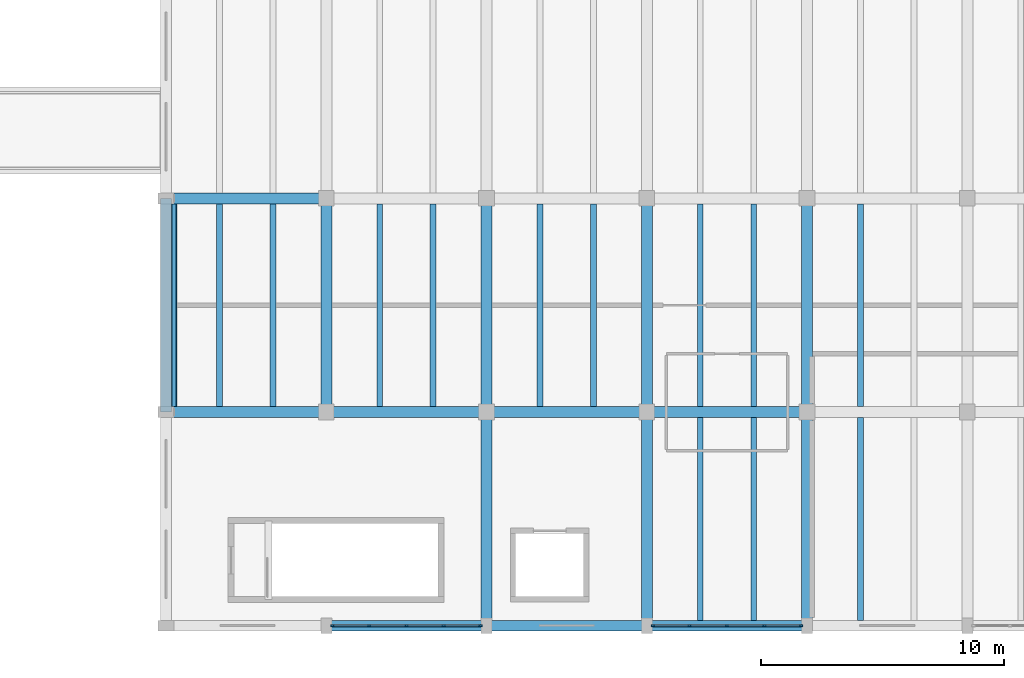
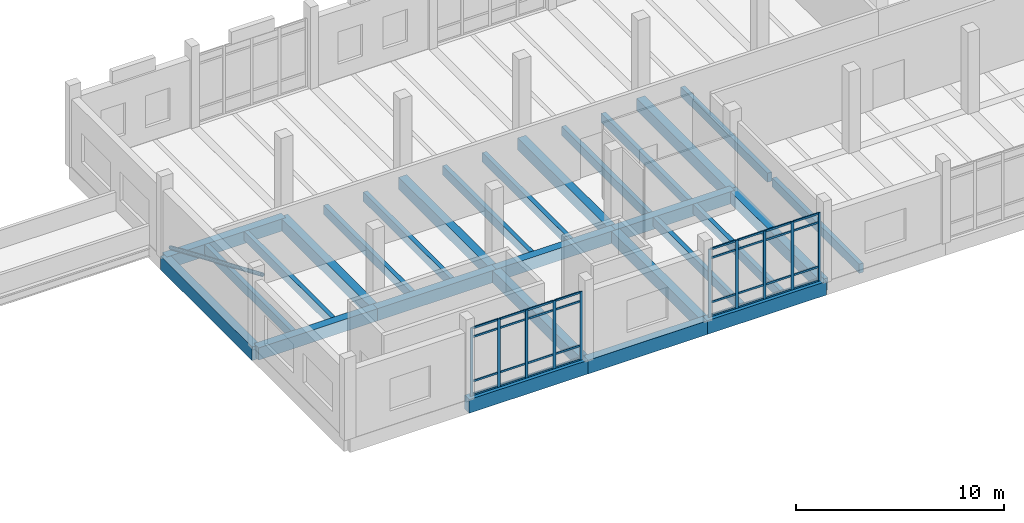
# One storey, part 10 of 76: 43 members, 28 beams, 2 elements without a shape of their own.
"""IFC4 building model written with IfcOpenShell, lengths in metres."""

from ifc_helpers import new_model, si_unit, direction, frame, origin, origin_2d, place, context, subcontext, project, spatial, rectangle, hollow_circle, extrude, material, material_profile, profile_set, type_object, element, aggregate, save


model = new_model("IFC4")

# Units and contexts
model_context = context("Model", 3, precision=1e-05, world=origin(), true_north=direction((0.0, 1.0)))
body_context = subcontext(model_context, "Body", "Model", "MODEL_VIEW")
ifc_project = project(units=[si_unit("LENGTHUNIT", "METRE"), si_unit("AREAUNIT", "SQUARE_METRE"), si_unit("VOLUMEUNIT", "CUBIC_METRE"), si_unit("PLANEANGLEUNIT", "RADIAN"), si_unit("MASSUNIT", "GRAM", prefix="KILO")], contexts=[model_context])

# Site, building, storey
site_placement = place(None, origin())
site = spatial("IfcSite", under=ifc_project, at=site_placement, CompositionType="ELEMENT")
building_placement = place(site_placement, origin())
building = spatial("IfcBuilding", under=site, at=building_placement, Name="Dornvale Research Institute", CompositionType="ELEMENT")
storey_placement = place(building_placement, frame((0.0, 0.0, 15.0)))
storey = spatial("IfcBuildingStorey", under=building, at=storey_placement, Name="L03", CompositionType="ELEMENT", Elevation=15.0)

# Beams
ifc_material_1 = material(Name="Concrete f'c 45 MPa (C35/45)", Category="concrete")
ifc_material_profile_1 = material_profile(ifc_material_1, rectangle(XDim=0.449951171875, YDim=0.715087890625, at=origin_2d()), Name="RC 450x715")
ifc_profile_set_1 = profile_set([ifc_material_profile_1], Name="Concrete f'c 45 MPa (C35/45)")
beam_type_1 = type_object("IfcBeamType", Name="Beam_RC450x715_Lab", PredefinedType="BEAM", material=ifc_profile_set_1)
beam_1_placement = place(storey_placement, frame((99.0, 8.800048828125, -0.357421875), z_axis=(1.0, 0.0, 0.0), x_axis=(0.0, 1.0, 0.0)))
element("IfcBeam", 1, at=beam_1_placement, inside=storey, type_object=beam_type_1, Name="L03 primary girder #991", PredefinedType="BEAM", context=body_context, shape_type="SweptSolid", body=[
    extrude(rectangle(XDim=0.449951171875, YDim=0.715087890625, at=origin_2d()), origin(), (0.0, 0.0, 1.0), 6.60009765625),
])
beam_2_placement = place(storey_placement, frame((105.60009765625, 8.800048828125, -0.357421875), z_axis=(1.0, 0.0, 0.0), x_axis=(0.0, 1.0, 0.0)))
element("IfcBeam", 2, at=beam_2_placement, inside=storey, type_object=beam_type_1, Name="L03 primary girder #992", PredefinedType="BEAM", context=body_context, shape_type="SweptSolid", body=[
    extrude(rectangle(XDim=0.449951171875, YDim=0.715087890625, at=origin_2d()), origin(), (0.0, 0.0, 1.0), 6.599853515625),
])
beam_3_placement = place(storey_placement, frame((112.199951171875, 8.800048828125, -0.357421875), z_axis=(1.0, 0.0, 0.0), x_axis=(0.0, 1.0, 0.0)))
element("IfcBeam", 3, at=beam_3_placement, inside=storey, type_object=beam_type_1, Name="L03 primary girder #993", PredefinedType="BEAM", context=body_context, shape_type="SweptSolid", body=[
    extrude(rectangle(XDim=0.449951171875, YDim=0.715087890625, at=origin_2d()), origin(), (0.0, 0.0, 1.0), 6.60009765625),
])
beam_4_placement = place(storey_placement, frame((118.800048828125, 8.800048828125, -0.357421875), z_axis=(1.0, 0.0, 0.0), x_axis=(0.0, 1.0, 0.0)))
element("IfcBeam", 4, at=beam_4_placement, inside=storey, type_object=beam_type_1, Name="L03 primary girder #994", PredefinedType="BEAM", context=body_context, shape_type="SweptSolid", body=[
    extrude(rectangle(XDim=0.449951171875, YDim=0.715087890625, at=origin_2d()), origin(), (0.0, 0.0, 1.0), 6.599853515625),
])
beam_5_placement = place(storey_placement, frame((99.0, 17.60009765625, -0.357421875), z_axis=(1.0, 0.0, 0.0), x_axis=(0.0, 1.0, 0.0)))
element("IfcBeam", 5, at=beam_5_placement, inside=storey, type_object=beam_type_1, Name="L03 primary girder #1003", PredefinedType="BEAM", context=body_context, shape_type="SweptSolid", body=[
    extrude(rectangle(XDim=0.449951171875, YDim=0.715087890625, at=origin_2d()), origin(), (0.0, 0.0, 1.0), 6.60009765625),
])
for number, where, z_axis, x_axis, name in (
    (6, (105.60009765625, 8.800048828125, -0.357421875), (0.0, 1.0, 0.0), (-1.0, 0.0, 0.0), "L03 transverse girder #1030"),
    (7, (112.199951171875, 0.0, -0.357421875), (0.0, 1.0, 0.0), (-1.0, 0.0, 0.0), "L03 transverse girder #1032"),
    (8, (112.199951171875, 8.800048828125, -0.357421875), (0.0, 1.0, 0.0), (-1.0, 0.0, 0.0), "L03 transverse girder #1033"),
    (9, (118.800048828125, 0.0, -0.357421875), (0.0, 1.0, 0.0), (-1.0, 0.0, 0.0), "L03 transverse girder #1035"),
    (10, (118.800048828125, 8.800048828125, -0.357421875), (0.0, 1.0, 0.0), (-1.0, 0.0, 0.0), "L03 transverse girder #1036"),
    (11, (125.39990234375, 0.0, -0.357421875), (0.0, 1.0, 0.0), (-1.0, 0.0, 0.0), "L03 transverse girder #1038"),
    (12, (125.39990234375, 8.800048828125, -0.357421875), (0.0, 1.0, 0.0), (-1.0, 0.0, 0.0), "L03 transverse girder #1039"),
):
    element("IfcBeam", number, at=place(storey_placement, frame(where, z_axis=z_axis, x_axis=x_axis)), inside=storey, type_object=beam_type_1, Name=name, PredefinedType="BEAM", context=body_context, shape_type="SweptSolid", body=[
        extrude(rectangle(XDim=0.449951171875, YDim=0.715087890625, at=origin_2d()), origin(), (0.0, 0.0, 1.0), 8.800048828125),
    ])

# Member
ifc_material_2 = material(Name="Steel ASTM A500 Grade C", Category="steel")
ifc_material_profile_2 = material_profile(ifc_material_2, hollow_circle(Radius=0.109619140625, WallThickness=0.0087890625, at=origin_2d()), Name="HSS219X9.5")
ifc_profile_set_2 = profile_set([ifc_material_profile_2], Name="Steel ASTM A500 Grade C")
member_type_1 = type_object("IfcMemberType", Name="Brace_HSS219_Round", PredefinedType="BRACE", material=ifc_profile_set_2)
member_1_placement = place(storey_placement, frame((99.340087890625, 17.60009765625, 0.300048828125), z_axis=(0.0, -0.919954954224, 0.392024083698), x_axis=(1.0, 0.0, 0.0)))
element("IfcMember", 13, at=member_1_placement, inside=storey, type_object=member_type_1, Name="L03 seismic diagonal brace #53", PredefinedType="BRACE", context=body_context, shape_type="SweptSolid", body=[
    extrude(hollow_circle(Radius=0.109619140625, WallThickness=0.0087890625, at=origin_2d()), origin(), (0.0, 0.0, 1.0), 9.565673828125),
])

# Beams
ifc_material_3 = material(Name="Concrete f'c 45 MPa (C35/45)", Category="concrete")
ifc_material_profile_3 = material_profile(ifc_material_3, rectangle(XDim=0.239990234375, YDim=0.534912109375, at=origin_2d()), Name="RC 240x535")
ifc_profile_set_3 = profile_set([ifc_material_profile_3], Name="Concrete f'c 45 MPa (C35/45)")
beam_type_2 = type_object("IfcBeamType", Name="Joist_RC240x535_Waffle", PredefinedType="JOIST", material=ifc_profile_set_3)
for number, where, z_axis, x_axis, name in (
    (14, (101.199951171875, 9.02490234375, -0.267578125), (0.0, 1.0, 0.0), (-1.0, 0.0, 0.0), "L03 laboratory waffle joist #491"),
    (15, (103.39990234375, 9.02490234375, -0.267578125), (0.0, 1.0, 0.0), (-1.0, 0.0, 0.0), "L03 laboratory waffle joist #492"),
    (16, (107.800048828125, 9.02490234375, -0.267578125), (0.0, 1.0, 0.0), (-1.0, 0.0, 0.0), "L03 laboratory waffle joist #495"),
    (17, (110.0, 9.02490234375, -0.267578125), (0.0, 1.0, 0.0), (-1.0, 0.0, 0.0), "L03 laboratory waffle joist #496"),
    (18, (114.39990234375, 9.02490234375, -0.267578125), (0.0, 1.0, 0.0), (-1.0, 0.0, 0.0), "L03 laboratory waffle joist #499"),
    (19, (116.60009765625, 9.02490234375, -0.267578125), (0.0, 1.0, 0.0), (-1.0, 0.0, 0.0), "L03 laboratory waffle joist #500"),
):
    element("IfcBeam", number, at=place(storey_placement, frame(where, z_axis=z_axis, x_axis=x_axis)), inside=storey, type_object=beam_type_2, Name=name, PredefinedType="JOIST", context=body_context, shape_type="SweptSolid", body=[
        extrude(rectangle(XDim=0.239990234375, YDim=0.534912109375, at=origin_2d()), origin(), (0.0, 0.0, 1.0), 8.35009765625),
    ])
for number, where, z_axis, x_axis, name in (
    (20, (121.0, 0.22509765625, -0.267578125), (0.0, 1.0, 0.0), (-1.0, 0.0, 0.0), "L03 laboratory waffle joist #503"),
    (21, (123.199951171875, 0.22509765625, -0.267578125), (0.0, 1.0, 0.0), (-1.0, 0.0, 0.0), "L03 laboratory waffle joist #504"),
):
    element("IfcBeam", number, at=place(storey_placement, frame(where, z_axis=z_axis, x_axis=x_axis)), inside=storey, type_object=beam_type_2, Name=name, PredefinedType="JOIST", context=body_context, shape_type="SweptSolid", body=[
        extrude(rectangle(XDim=0.239990234375, YDim=0.534912109375, at=origin_2d()), origin(), (0.0, 0.0, 1.0), 8.349853515625),
    ])
for number, where, z_axis, x_axis, name in (
    (22, (121.0, 9.02490234375, -0.267578125), (0.0, 1.0, 0.0), (-1.0, 0.0, 0.0), "L03 laboratory waffle joist #505"),
    (23, (123.199951171875, 9.02490234375, -0.267578125), (0.0, 1.0, 0.0), (-1.0, 0.0, 0.0), "L03 laboratory waffle joist #506"),
):
    element("IfcBeam", number, at=place(storey_placement, frame(where, z_axis=z_axis, x_axis=x_axis)), inside=storey, type_object=beam_type_2, Name=name, PredefinedType="JOIST", context=body_context, shape_type="SweptSolid", body=[
        extrude(rectangle(XDim=0.239990234375, YDim=0.534912109375, at=origin_2d()), origin(), (0.0, 0.0, 1.0), 8.35009765625),
    ])
beam_6_placement = place(storey_placement, frame((127.60009765625, 0.22509765625, -0.267578125), z_axis=(0.0, 1.0, 0.0), x_axis=(-1.0, 0.0, 0.0)))
element("IfcBeam", 24, at=beam_6_placement, inside=storey, type_object=beam_type_2, Name="L03 laboratory waffle joist #509", PredefinedType="JOIST", context=body_context, shape_type="SweptSolid", body=[
    extrude(rectangle(XDim=0.239990234375, YDim=0.534912109375, at=origin_2d()), origin(), (0.0, 0.0, 1.0), 8.349853515625),
])
beam_7_placement = place(storey_placement, frame((127.60009765625, 9.02490234375, -0.267578125), z_axis=(0.0, 1.0, 0.0), x_axis=(-1.0, 0.0, 0.0)))
element("IfcBeam", 25, at=beam_7_placement, inside=storey, type_object=beam_type_2, Name="L03 laboratory waffle joist #511", PredefinedType="JOIST", context=body_context, shape_type="SweptSolid", body=[
    extrude(rectangle(XDim=0.239990234375, YDim=0.534912109375, at=origin_2d()), origin(), (0.0, 0.0, 1.0), 8.35009765625),
])

# Curtain wall, members
ifc_material_4 = material(Name="Low-E Argon Double Insulating Glazing Unit", Category="glass")
curtain_wall_type = type_object("IfcCurtainWallType", Name="UnitisedCurtainWall_V3_6150x4000", PredefinedType="USERDEFINED", material=ifc_material_4)
curtain_wall_1_placement = place(storey_placement, origin())
curtain_wall_1 = element("IfcCurtainWall", 26, at=curtain_wall_1_placement, inside=storey, type_object=curtain_wall_type, Name="L03 V3 unitised curtain wall CW-06 #64", ObjectType="UNITISED CURTAIN WALL", PredefinedType="USERDEFINED")
ifc_material_5 = material(Name="Anodized Aluminum AA 6063-T6 Thermally Broken Frame", Category="aluminium")
ifc_material_profile_4 = material_profile(ifc_material_5, rectangle(XDim=0.06494140625, YDim=0.14990234375, at=origin_2d()), Name="ALU MULLION 65x150")
ifc_profile_set_4 = profile_set([ifc_material_profile_4], Name="Anodized Aluminum AA 6063-T6 Thermally Broken Frame")
member_type_2 = type_object("IfcMemberType", Name="Mullion_CW_65x150", PredefinedType="MULLION", material=ifc_profile_set_4)
member_2_placement = place(storey_placement, frame((125.142578125, 0.0, 0.0), z_axis=(0.0, 0.0, 1.0), x_axis=(0.0, -1.0, 0.0)))
member_2 = element("IfcMember", 27, at=member_2_placement, type_object=member_type_2, Name="CW-06 mullion 1", PredefinedType="MULLION", context=body_context, shape_type="SweptSolid", body=[
    extrude(rectangle(XDim=0.06494140625, YDim=0.14990234375, at=origin_2d()), origin(), (0.0, 0.0, 1.0), 4.0),
])
member_3_placement = place(storey_placement, frame((123.637451171875, 0.0, 0.0), z_axis=(0.0, 0.0, 1.0), x_axis=(0.0, -1.0, 0.0)))
member_3 = element("IfcMember", 28, at=member_3_placement, type_object=member_type_2, Name="CW-06 mullion 2", PredefinedType="MULLION", context=body_context, shape_type="SweptSolid", body=[
    extrude(rectangle(XDim=0.06494140625, YDim=0.14990234375, at=origin_2d()), origin(), (0.0, 0.0, 1.0), 4.0),
])
member_4_placement = place(storey_placement, frame((122.10009765625, 0.0, 0.0), z_axis=(0.0, 0.0, 1.0), x_axis=(0.0, -1.0, 0.0)))
member_4 = element("IfcMember", 29, at=member_4_placement, type_object=member_type_2, Name="CW-06 mullion 3", PredefinedType="MULLION", context=body_context, shape_type="SweptSolid", body=[
    extrude(rectangle(XDim=0.06494140625, YDim=0.14990234375, at=origin_2d()), origin(), (0.0, 0.0, 1.0), 4.0),
])
member_5_placement = place(storey_placement, frame((120.5625, 0.0, 0.0), z_axis=(0.0, 0.0, 1.0), x_axis=(0.0, -1.0, 0.0)))
member_5 = element("IfcMember", 30, at=member_5_placement, type_object=member_type_2, Name="CW-06 mullion 4", PredefinedType="MULLION", context=body_context, shape_type="SweptSolid", body=[
    extrude(rectangle(XDim=0.06494140625, YDim=0.14990234375, at=origin_2d()), origin(), (0.0, 0.0, 1.0), 4.0),
])
member_6_placement = place(storey_placement, frame((119.0576171875, 0.0, 0.0), z_axis=(0.0, 0.0, 1.0), x_axis=(0.0, -1.0, 0.0)))
member_6 = element("IfcMember", 31, at=member_6_placement, type_object=member_type_2, Name="CW-06 mullion 5", PredefinedType="MULLION", context=body_context, shape_type="SweptSolid", body=[
    extrude(rectangle(XDim=0.06494140625, YDim=0.14990234375, at=origin_2d()), origin(), (0.0, 0.0, 1.0), 4.0),
])

curtain_wall_2_placement = place(storey_placement, origin())
curtain_wall_2 = element("IfcCurtainWall", 32, at=curtain_wall_2_placement, inside=storey, type_object=curtain_wall_type, Name="L03 V3 unitised curtain wall CW-06 #65", ObjectType="UNITISED CURTAIN WALL", PredefinedType="USERDEFINED")
member_7_placement = place(storey_placement, frame((111.9423828125, 0.0, 0.0), z_axis=(0.0, 0.0, 1.0), x_axis=(0.0, -1.0, 0.0)))
member_7 = element("IfcMember", 33, at=member_7_placement, type_object=member_type_2, Name="CW-06 mullion 1", PredefinedType="MULLION", context=body_context, shape_type="SweptSolid", body=[
    extrude(rectangle(XDim=0.06494140625, YDim=0.14990234375, at=origin_2d()), origin(), (0.0, 0.0, 1.0), 4.0),
])
member_8_placement = place(storey_placement, frame((110.4375, 0.0, 0.0), z_axis=(0.0, 0.0, 1.0), x_axis=(0.0, -1.0, 0.0)))
member_8 = element("IfcMember", 34, at=member_8_placement, type_object=member_type_2, Name="CW-06 mullion 2", PredefinedType="MULLION", context=body_context, shape_type="SweptSolid", body=[
    extrude(rectangle(XDim=0.06494140625, YDim=0.14990234375, at=origin_2d()), origin(), (0.0, 0.0, 1.0), 4.0),
])
member_9_placement = place(storey_placement, frame((108.89990234375, 0.0, 0.0), z_axis=(0.0, 0.0, 1.0), x_axis=(0.0, -1.0, 0.0)))
member_9 = element("IfcMember", 35, at=member_9_placement, type_object=member_type_2, Name="CW-06 mullion 3", PredefinedType="MULLION", context=body_context, shape_type="SweptSolid", body=[
    extrude(rectangle(XDim=0.06494140625, YDim=0.14990234375, at=origin_2d()), origin(), (0.0, 0.0, 1.0), 4.0),
])
member_10_placement = place(storey_placement, frame((107.362548828125, 0.0, 0.0), z_axis=(0.0, 0.0, 1.0), x_axis=(0.0, -1.0, 0.0)))
member_10 = element("IfcMember", 36, at=member_10_placement, type_object=member_type_2, Name="CW-06 mullion 4", PredefinedType="MULLION", context=body_context, shape_type="SweptSolid", body=[
    extrude(rectangle(XDim=0.06494140625, YDim=0.14990234375, at=origin_2d()), origin(), (0.0, 0.0, 1.0), 4.0),
])
member_11_placement = place(storey_placement, frame((105.857421875, 0.0, 0.0), z_axis=(0.0, 0.0, 1.0), x_axis=(0.0, -1.0, 0.0)))
member_11 = element("IfcMember", 37, at=member_11_placement, type_object=member_type_2, Name="CW-06 mullion 5", PredefinedType="MULLION", context=body_context, shape_type="SweptSolid", body=[
    extrude(rectangle(XDim=0.06494140625, YDim=0.14990234375, at=origin_2d()), origin(), (0.0, 0.0, 1.0), 4.0),
])

# Beams
ifc_material_6 = material(Name="Concrete f'c 45 MPa (C35/45)", Category="concrete")
ifc_material_profile_5 = material_profile(ifc_material_6, rectangle(XDim=0.449951171875, YDim=0.800048828125, at=origin_2d()), Name="RC 450x800")
ifc_profile_set_5 = profile_set([ifc_material_profile_5], Name="Concrete f'c 45 MPa (C35/45)")
beam_type_3 = type_object("IfcBeamType", Name="Spandrel_RC450x800_Ext", PredefinedType="SPANDREL", material=ifc_profile_set_5)
beam_8_placement = place(storey_placement, frame((105.60009765625, 0.0, -0.39990234375), z_axis=(1.0, 0.0, 0.0), x_axis=(0.0, 1.0, 0.0)))
element("IfcBeam", 38, at=beam_8_placement, inside=storey, type_object=beam_type_3, Name="L03 perimeter spandrel #980", PredefinedType="SPANDREL", context=body_context, shape_type="SweptSolid", body=[
    extrude(rectangle(XDim=0.449951171875, YDim=0.800048828125, at=origin_2d()), origin(), (0.0, 0.0, 1.0), 6.599853515625),
])
beam_9_placement = place(storey_placement, frame((112.199951171875, 0.0, -0.39990234375), z_axis=(1.0, 0.0, 0.0), x_axis=(0.0, 1.0, 0.0)))
element("IfcBeam", 39, at=beam_9_placement, inside=storey, type_object=beam_type_3, Name="L03 perimeter spandrel #981", PredefinedType="SPANDREL", context=body_context, shape_type="SweptSolid", body=[
    extrude(rectangle(XDim=0.449951171875, YDim=0.800048828125, at=origin_2d()), origin(), (0.0, 0.0, 1.0), 6.60009765625),
])
beam_10_placement = place(storey_placement, frame((118.800048828125, 0.0, -0.39990234375), z_axis=(1.0, 0.0, 0.0), x_axis=(0.0, 1.0, 0.0)))
element("IfcBeam", 40, at=beam_10_placement, inside=storey, type_object=beam_type_3, Name="L03 perimeter spandrel #982", PredefinedType="SPANDREL", context=body_context, shape_type="SweptSolid", body=[
    extrude(rectangle(XDim=0.449951171875, YDim=0.800048828125, at=origin_2d()), origin(), (0.0, 0.0, 1.0), 6.599853515625),
])
beam_11_placement = place(storey_placement, frame((99.0, 8.800048828125, -0.39990234375), z_axis=(0.0, 1.0, 0.0), x_axis=(-1.0, 0.0, 0.0)))
element("IfcBeam", 41, at=beam_11_placement, inside=storey, type_object=beam_type_3, Name="L03 perimeter spandrel #1028", PredefinedType="SPANDREL", context=body_context, shape_type="SweptSolid", body=[
    extrude(rectangle(XDim=0.449951171875, YDim=0.800048828125, at=origin_2d()), origin(), (0.0, 0.0, 1.0), 8.800048828125),
])

# Member
ifc_material_7 = material(Name="Anodized Aluminum AA 6063-T6 Thermally Broken Frame", Category="aluminium")
ifc_material_profile_6 = material_profile(ifc_material_7, rectangle(XDim=0.06494140625, YDim=0.110107421875, at=origin_2d()), Name="ALU TRANSOM 65x110")
ifc_profile_set_6 = profile_set([ifc_material_profile_6], Name="Anodized Aluminum AA 6063-T6 Thermally Broken Frame")
member_type_3 = type_object("IfcMemberType", Name="Transom_CW_65x110", PredefinedType="USERDEFINED", material=ifc_profile_set_6)
member_12_placement = place(storey_placement, frame((125.110107421875, 0.0, 0.032470703125), z_axis=(-1.0, 0.0, 0.0), x_axis=(0.0, -1.0, 0.0)))
member_12 = element("IfcMember", 42, at=member_12_placement, type_object=member_type_3, Name="CW-06 transom 1.1", ObjectType="TRANSOM", PredefinedType="USERDEFINED", context=body_context, shape_type="SweptSolid", body=[
    extrude(rectangle(XDim=0.06494140625, YDim=0.110107421875, at=origin_2d()), origin(), (0.0, 0.0, 1.0), 1.440185546875),
])

member_13_placement = place(storey_placement, frame((125.110107421875, 0.0, 0.85009765625), z_axis=(-1.0, 0.0, 0.0), x_axis=(0.0, -1.0, 0.0)))
member_13 = element("IfcMember", 43, at=member_13_placement, type_object=member_type_3, Name="CW-06 transom 1.2", ObjectType="TRANSOM", PredefinedType="USERDEFINED", context=body_context, shape_type="SweptSolid", body=[
    extrude(rectangle(XDim=0.06494140625, YDim=0.110107421875, at=origin_2d()), origin(), (0.0, 0.0, 1.0), 1.440185546875),
])

member_14_placement = place(storey_placement, frame((125.110107421875, 0.0, 3.449951171875), z_axis=(-1.0, 0.0, 0.0), x_axis=(0.0, -1.0, 0.0)))
member_14 = element("IfcMember", 44, at=member_14_placement, type_object=member_type_3, Name="CW-06 transom 1.3", ObjectType="TRANSOM", PredefinedType="USERDEFINED", context=body_context, shape_type="SweptSolid", body=[
    extrude(rectangle(XDim=0.06494140625, YDim=0.110107421875, at=origin_2d()), origin(), (0.0, 0.0, 1.0), 1.440185546875),
])

member_15_placement = place(storey_placement, frame((125.110107421875, 0.0, 3.967529296875), z_axis=(-1.0, 0.0, 0.0), x_axis=(0.0, -1.0, 0.0)))
member_15 = element("IfcMember", 45, at=member_15_placement, type_object=member_type_3, Name="CW-06 transom 1.4", ObjectType="TRANSOM", PredefinedType="USERDEFINED", context=body_context, shape_type="SweptSolid", body=[
    extrude(rectangle(XDim=0.06494140625, YDim=0.110107421875, at=origin_2d()), origin(), (0.0, 0.0, 1.0), 1.440185546875),
])

member_16_placement = place(storey_placement, frame((123.60498046875, 0.0, 0.032470703125), z_axis=(-1.0, 0.0, 0.0), x_axis=(0.0, -1.0, 0.0)))
member_16 = element("IfcMember", 46, at=member_16_placement, type_object=member_type_3, Name="CW-06 transom 2.1", ObjectType="TRANSOM", PredefinedType="USERDEFINED", context=body_context, shape_type="SweptSolid", body=[
    extrude(rectangle(XDim=0.06494140625, YDim=0.110107421875, at=origin_2d()), origin(), (0.0, 0.0, 1.0), 1.472412109375),
])

member_17_placement = place(storey_placement, frame((123.60498046875, 0.0, 0.85009765625), z_axis=(-1.0, 0.0, 0.0), x_axis=(0.0, -1.0, 0.0)))
member_17 = element("IfcMember", 47, at=member_17_placement, type_object=member_type_3, Name="CW-06 transom 2.2", ObjectType="TRANSOM", PredefinedType="USERDEFINED", context=body_context, shape_type="SweptSolid", body=[
    extrude(rectangle(XDim=0.06494140625, YDim=0.110107421875, at=origin_2d()), origin(), (0.0, 0.0, 1.0), 1.472412109375),
])

member_18_placement = place(storey_placement, frame((123.60498046875, 0.0, 3.449951171875), z_axis=(-1.0, 0.0, 0.0), x_axis=(0.0, -1.0, 0.0)))
member_18 = element("IfcMember", 48, at=member_18_placement, type_object=member_type_3, Name="CW-06 transom 2.3", ObjectType="TRANSOM", PredefinedType="USERDEFINED", context=body_context, shape_type="SweptSolid", body=[
    extrude(rectangle(XDim=0.06494140625, YDim=0.110107421875, at=origin_2d()), origin(), (0.0, 0.0, 1.0), 1.472412109375),
])

member_19_placement = place(storey_placement, frame((123.60498046875, 0.0, 3.967529296875), z_axis=(-1.0, 0.0, 0.0), x_axis=(0.0, -1.0, 0.0)))
member_19 = element("IfcMember", 49, at=member_19_placement, type_object=member_type_3, Name="CW-06 transom 2.4", ObjectType="TRANSOM", PredefinedType="USERDEFINED", context=body_context, shape_type="SweptSolid", body=[
    extrude(rectangle(XDim=0.06494140625, YDim=0.110107421875, at=origin_2d()), origin(), (0.0, 0.0, 1.0), 1.472412109375),
])

member_20_placement = place(storey_placement, frame((122.0673828125, 0.0, 0.032470703125), z_axis=(-1.0, 0.0, 0.0), x_axis=(0.0, -1.0, 0.0)))
member_20 = element("IfcMember", 50, at=member_20_placement, type_object=member_type_3, Name="CW-06 transom 3.1", ObjectType="TRANSOM", PredefinedType="USERDEFINED", context=body_context, shape_type="SweptSolid", body=[
    extrude(rectangle(XDim=0.06494140625, YDim=0.110107421875, at=origin_2d()), origin(), (0.0, 0.0, 1.0), 1.472412109375),
])

member_21_placement = place(storey_placement, frame((122.0673828125, 0.0, 0.85009765625), z_axis=(-1.0, 0.0, 0.0), x_axis=(0.0, -1.0, 0.0)))
member_21 = element("IfcMember", 51, at=member_21_placement, type_object=member_type_3, Name="CW-06 transom 3.2", ObjectType="TRANSOM", PredefinedType="USERDEFINED", context=body_context, shape_type="SweptSolid", body=[
    extrude(rectangle(XDim=0.06494140625, YDim=0.110107421875, at=origin_2d()), origin(), (0.0, 0.0, 1.0), 1.472412109375),
])

member_22_placement = place(storey_placement, frame((122.0673828125, 0.0, 3.449951171875), z_axis=(-1.0, 0.0, 0.0), x_axis=(0.0, -1.0, 0.0)))
member_22 = element("IfcMember", 52, at=member_22_placement, type_object=member_type_3, Name="CW-06 transom 3.3", ObjectType="TRANSOM", PredefinedType="USERDEFINED", context=body_context, shape_type="SweptSolid", body=[
    extrude(rectangle(XDim=0.06494140625, YDim=0.110107421875, at=origin_2d()), origin(), (0.0, 0.0, 1.0), 1.472412109375),
])

member_23_placement = place(storey_placement, frame((122.0673828125, 0.0, 3.967529296875), z_axis=(-1.0, 0.0, 0.0), x_axis=(0.0, -1.0, 0.0)))
member_23 = element("IfcMember", 53, at=member_23_placement, type_object=member_type_3, Name="CW-06 transom 3.4", ObjectType="TRANSOM", PredefinedType="USERDEFINED", context=body_context, shape_type="SweptSolid", body=[
    extrude(rectangle(XDim=0.06494140625, YDim=0.110107421875, at=origin_2d()), origin(), (0.0, 0.0, 1.0), 1.472412109375),
])

member_24_placement = place(storey_placement, frame((120.530029296875, 0.0, 0.032470703125), z_axis=(-1.0, 0.0, 0.0), x_axis=(0.0, -1.0, 0.0)))
member_24 = element("IfcMember", 54, at=member_24_placement, type_object=member_type_3, Name="CW-06 transom 4.1", ObjectType="TRANSOM", PredefinedType="USERDEFINED", context=body_context, shape_type="SweptSolid", body=[
    extrude(rectangle(XDim=0.06494140625, YDim=0.110107421875, at=origin_2d()), origin(), (0.0, 0.0, 1.0), 1.43994140625),
])

member_25_placement = place(storey_placement, frame((120.530029296875, 0.0, 0.85009765625), z_axis=(-1.0, 0.0, 0.0), x_axis=(0.0, -1.0, 0.0)))
member_25 = element("IfcMember", 55, at=member_25_placement, type_object=member_type_3, Name="CW-06 transom 4.2", ObjectType="TRANSOM", PredefinedType="USERDEFINED", context=body_context, shape_type="SweptSolid", body=[
    extrude(rectangle(XDim=0.06494140625, YDim=0.110107421875, at=origin_2d()), origin(), (0.0, 0.0, 1.0), 1.43994140625),
])

member_26_placement = place(storey_placement, frame((120.530029296875, 0.0, 3.449951171875), z_axis=(-1.0, 0.0, 0.0), x_axis=(0.0, -1.0, 0.0)))
member_26 = element("IfcMember", 56, at=member_26_placement, type_object=member_type_3, Name="CW-06 transom 4.3", ObjectType="TRANSOM", PredefinedType="USERDEFINED", context=body_context, shape_type="SweptSolid", body=[
    extrude(rectangle(XDim=0.06494140625, YDim=0.110107421875, at=origin_2d()), origin(), (0.0, 0.0, 1.0), 1.43994140625),
])

member_27_placement = place(storey_placement, frame((120.530029296875, 0.0, 3.967529296875), z_axis=(-1.0, 0.0, 0.0), x_axis=(0.0, -1.0, 0.0)))
member_27 = element("IfcMember", 57, at=member_27_placement, type_object=member_type_3, Name="CW-06 transom 4.4", ObjectType="TRANSOM", PredefinedType="USERDEFINED", context=body_context, shape_type="SweptSolid", body=[
    extrude(rectangle(XDim=0.06494140625, YDim=0.110107421875, at=origin_2d()), origin(), (0.0, 0.0, 1.0), 1.43994140625),
])

aggregate(curtain_wall_1, [member_2, member_3, member_4, member_5, member_6, member_12, member_13, member_14, member_15, member_16, member_17, member_18, member_19, member_20, member_21, member_22, member_23, member_24, member_25, member_26, member_27])

member_28_placement = place(storey_placement, frame((111.909912109375, 0.0, 0.032470703125), z_axis=(-1.0, 0.0, 0.0), x_axis=(0.0, -1.0, 0.0)))
member_28 = element("IfcMember", 58, at=member_28_placement, type_object=member_type_3, Name="CW-06 transom 1.1", ObjectType="TRANSOM", PredefinedType="USERDEFINED", context=body_context, shape_type="SweptSolid", body=[
    extrude(rectangle(XDim=0.06494140625, YDim=0.110107421875, at=origin_2d()), origin(), (0.0, 0.0, 1.0), 1.43994140625),
])

member_29_placement = place(storey_placement, frame((111.909912109375, 0.0, 0.85009765625), z_axis=(-1.0, 0.0, 0.0), x_axis=(0.0, -1.0, 0.0)))
member_29 = element("IfcMember", 59, at=member_29_placement, type_object=member_type_3, Name="CW-06 transom 1.2", ObjectType="TRANSOM", PredefinedType="USERDEFINED", context=body_context, shape_type="SweptSolid", body=[
    extrude(rectangle(XDim=0.06494140625, YDim=0.110107421875, at=origin_2d()), origin(), (0.0, 0.0, 1.0), 1.43994140625),
])

member_30_placement = place(storey_placement, frame((111.909912109375, 0.0, 3.449951171875), z_axis=(-1.0, 0.0, 0.0), x_axis=(0.0, -1.0, 0.0)))
member_30 = element("IfcMember", 60, at=member_30_placement, type_object=member_type_3, Name="CW-06 transom 1.3", ObjectType="TRANSOM", PredefinedType="USERDEFINED", context=body_context, shape_type="SweptSolid", body=[
    extrude(rectangle(XDim=0.06494140625, YDim=0.110107421875, at=origin_2d()), origin(), (0.0, 0.0, 1.0), 1.43994140625),
])

member_31_placement = place(storey_placement, frame((111.909912109375, 0.0, 3.967529296875), z_axis=(-1.0, 0.0, 0.0), x_axis=(0.0, -1.0, 0.0)))
member_31 = element("IfcMember", 61, at=member_31_placement, type_object=member_type_3, Name="CW-06 transom 1.4", ObjectType="TRANSOM", PredefinedType="USERDEFINED", context=body_context, shape_type="SweptSolid", body=[
    extrude(rectangle(XDim=0.06494140625, YDim=0.110107421875, at=origin_2d()), origin(), (0.0, 0.0, 1.0), 1.43994140625),
])

member_32_placement = place(storey_placement, frame((110.405029296875, 0.0, 0.032470703125), z_axis=(-1.0, 0.0, 0.0), x_axis=(0.0, -1.0, 0.0)))
member_32 = element("IfcMember", 62, at=member_32_placement, type_object=member_type_3, Name="CW-06 transom 2.1", ObjectType="TRANSOM", PredefinedType="USERDEFINED", context=body_context, shape_type="SweptSolid", body=[
    extrude(rectangle(XDim=0.06494140625, YDim=0.110107421875, at=origin_2d()), origin(), (0.0, 0.0, 1.0), 1.472412109375),
])

member_33_placement = place(storey_placement, frame((110.405029296875, 0.0, 0.85009765625), z_axis=(-1.0, 0.0, 0.0), x_axis=(0.0, -1.0, 0.0)))
member_33 = element("IfcMember", 63, at=member_33_placement, type_object=member_type_3, Name="CW-06 transom 2.2", ObjectType="TRANSOM", PredefinedType="USERDEFINED", context=body_context, shape_type="SweptSolid", body=[
    extrude(rectangle(XDim=0.06494140625, YDim=0.110107421875, at=origin_2d()), origin(), (0.0, 0.0, 1.0), 1.472412109375),
])

member_34_placement = place(storey_placement, frame((110.405029296875, 0.0, 3.449951171875), z_axis=(-1.0, 0.0, 0.0), x_axis=(0.0, -1.0, 0.0)))
member_34 = element("IfcMember", 64, at=member_34_placement, type_object=member_type_3, Name="CW-06 transom 2.3", ObjectType="TRANSOM", PredefinedType="USERDEFINED", context=body_context, shape_type="SweptSolid", body=[
    extrude(rectangle(XDim=0.06494140625, YDim=0.110107421875, at=origin_2d()), origin(), (0.0, 0.0, 1.0), 1.472412109375),
])

member_35_placement = place(storey_placement, frame((110.405029296875, 0.0, 3.967529296875), z_axis=(-1.0, 0.0, 0.0), x_axis=(0.0, -1.0, 0.0)))
member_35 = element("IfcMember", 65, at=member_35_placement, type_object=member_type_3, Name="CW-06 transom 2.4", ObjectType="TRANSOM", PredefinedType="USERDEFINED", context=body_context, shape_type="SweptSolid", body=[
    extrude(rectangle(XDim=0.06494140625, YDim=0.110107421875, at=origin_2d()), origin(), (0.0, 0.0, 1.0), 1.472412109375),
])

member_36_placement = place(storey_placement, frame((108.867431640625, 0.0, 0.032470703125), z_axis=(-1.0, 0.0, 0.0), x_axis=(0.0, -1.0, 0.0)))
member_36 = element("IfcMember", 66, at=member_36_placement, type_object=member_type_3, Name="CW-06 transom 3.1", ObjectType="TRANSOM", PredefinedType="USERDEFINED", context=body_context, shape_type="SweptSolid", body=[
    extrude(rectangle(XDim=0.06494140625, YDim=0.110107421875, at=origin_2d()), origin(), (0.0, 0.0, 1.0), 1.472412109375),
])

member_37_placement = place(storey_placement, frame((108.867431640625, 0.0, 0.85009765625), z_axis=(-1.0, 0.0, 0.0), x_axis=(0.0, -1.0, 0.0)))
member_37 = element("IfcMember", 67, at=member_37_placement, type_object=member_type_3, Name="CW-06 transom 3.2", ObjectType="TRANSOM", PredefinedType="USERDEFINED", context=body_context, shape_type="SweptSolid", body=[
    extrude(rectangle(XDim=0.06494140625, YDim=0.110107421875, at=origin_2d()), origin(), (0.0, 0.0, 1.0), 1.472412109375),
])

member_38_placement = place(storey_placement, frame((108.867431640625, 0.0, 3.449951171875), z_axis=(-1.0, 0.0, 0.0), x_axis=(0.0, -1.0, 0.0)))
member_38 = element("IfcMember", 68, at=member_38_placement, type_object=member_type_3, Name="CW-06 transom 3.3", ObjectType="TRANSOM", PredefinedType="USERDEFINED", context=body_context, shape_type="SweptSolid", body=[
    extrude(rectangle(XDim=0.06494140625, YDim=0.110107421875, at=origin_2d()), origin(), (0.0, 0.0, 1.0), 1.472412109375),
])

member_39_placement = place(storey_placement, frame((108.867431640625, 0.0, 3.967529296875), z_axis=(-1.0, 0.0, 0.0), x_axis=(0.0, -1.0, 0.0)))
member_39 = element("IfcMember", 69, at=member_39_placement, type_object=member_type_3, Name="CW-06 transom 3.4", ObjectType="TRANSOM", PredefinedType="USERDEFINED", context=body_context, shape_type="SweptSolid", body=[
    extrude(rectangle(XDim=0.06494140625, YDim=0.110107421875, at=origin_2d()), origin(), (0.0, 0.0, 1.0), 1.472412109375),
])

member_40_placement = place(storey_placement, frame((107.330078125, 0.0, 0.032470703125), z_axis=(-1.0, 0.0, 0.0), x_axis=(0.0, -1.0, 0.0)))
member_40 = element("IfcMember", 70, at=member_40_placement, type_object=member_type_3, Name="CW-06 transom 4.1", ObjectType="TRANSOM", PredefinedType="USERDEFINED", context=body_context, shape_type="SweptSolid", body=[
    extrude(rectangle(XDim=0.06494140625, YDim=0.110107421875, at=origin_2d()), origin(), (0.0, 0.0, 1.0), 1.440185546875),
])

member_41_placement = place(storey_placement, frame((107.330078125, 0.0, 0.85009765625), z_axis=(-1.0, 0.0, 0.0), x_axis=(0.0, -1.0, 0.0)))
member_41 = element("IfcMember", 71, at=member_41_placement, type_object=member_type_3, Name="CW-06 transom 4.2", ObjectType="TRANSOM", PredefinedType="USERDEFINED", context=body_context, shape_type="SweptSolid", body=[
    extrude(rectangle(XDim=0.06494140625, YDim=0.110107421875, at=origin_2d()), origin(), (0.0, 0.0, 1.0), 1.440185546875),
])

member_42_placement = place(storey_placement, frame((107.330078125, 0.0, 3.449951171875), z_axis=(-1.0, 0.0, 0.0), x_axis=(0.0, -1.0, 0.0)))
member_42 = element("IfcMember", 72, at=member_42_placement, type_object=member_type_3, Name="CW-06 transom 4.3", ObjectType="TRANSOM", PredefinedType="USERDEFINED", context=body_context, shape_type="SweptSolid", body=[
    extrude(rectangle(XDim=0.06494140625, YDim=0.110107421875, at=origin_2d()), origin(), (0.0, 0.0, 1.0), 1.440185546875),
])

member_43_placement = place(storey_placement, frame((107.330078125, 0.0, 3.967529296875), z_axis=(-1.0, 0.0, 0.0), x_axis=(0.0, -1.0, 0.0)))
member_43 = element("IfcMember", 73, at=member_43_placement, type_object=member_type_3, Name="CW-06 transom 4.4", ObjectType="TRANSOM", PredefinedType="USERDEFINED", context=body_context, shape_type="SweptSolid", body=[
    extrude(rectangle(XDim=0.06494140625, YDim=0.110107421875, at=origin_2d()), origin(), (0.0, 0.0, 1.0), 1.440185546875),
])

aggregate(curtain_wall_2, [member_7, member_8, member_9, member_10, member_11, member_28, member_29, member_30, member_31, member_32, member_33, member_34, member_35, member_36, member_37, member_38, member_39, member_40, member_41, member_42, member_43])

save(model, "model.ifc")
